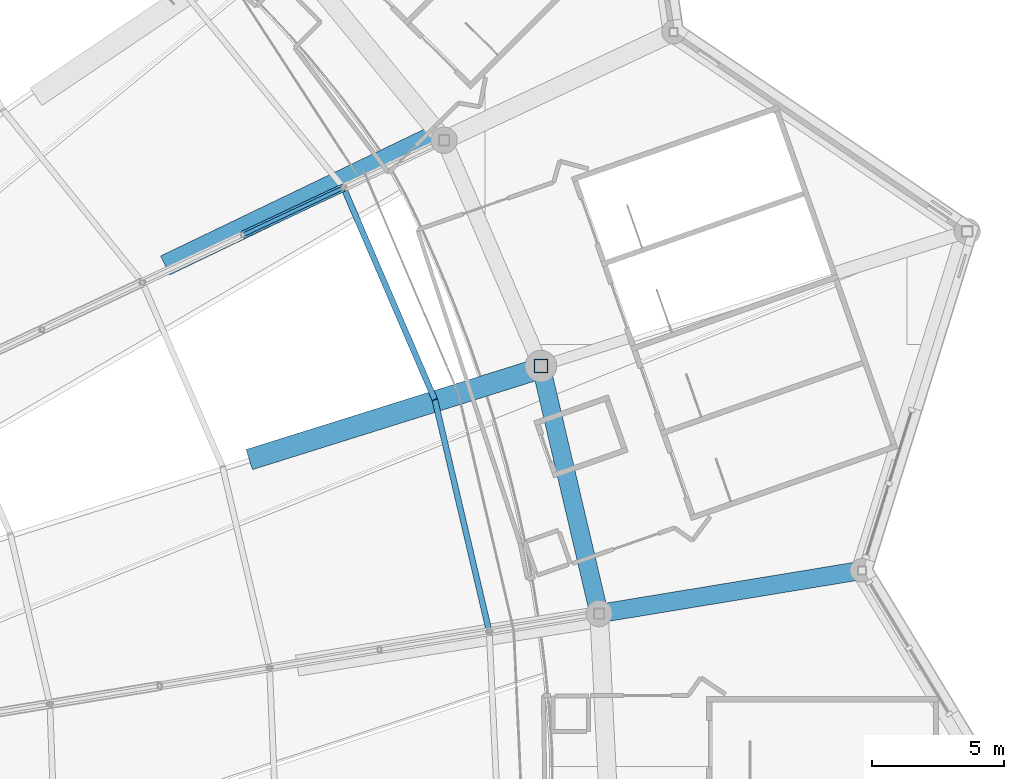
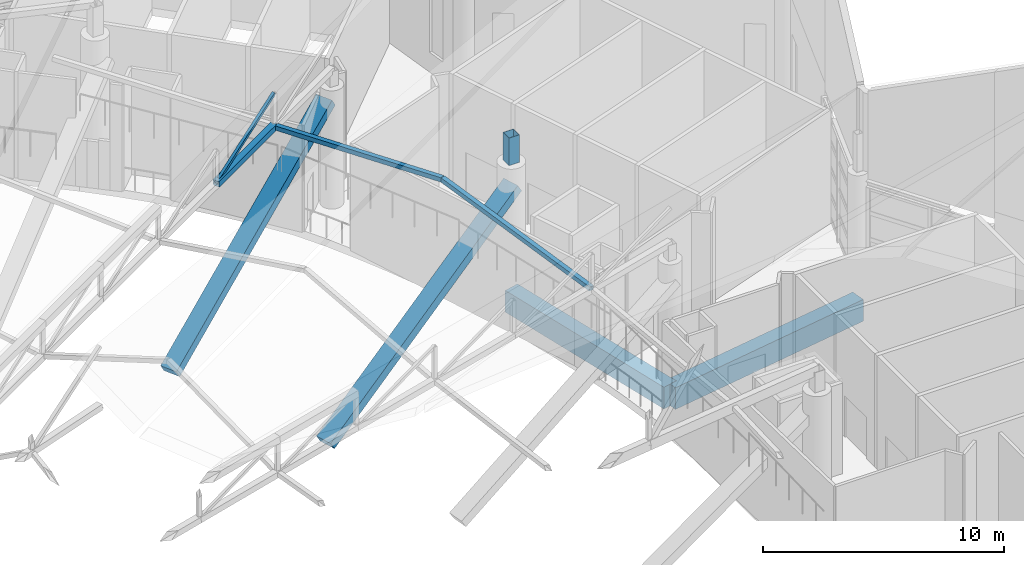
# One storey, part 193 of 344: 5 members, 4 beams.
"""IFC4 building model written with IfcOpenShell, lengths in metres."""

from ifc_helpers import new_model, si_unit, direction, frame, origin, origin_2d, place, context, subcontext, project, spatial, rectangle, hollow_rectangle, extrude, material, material_profile, profile_set, type_object, element, save


model = new_model("IFC4")

# Units and contexts
model_context = context("Model", 3, precision=1e-05, world=origin(), true_north=direction((0.0, 1.0)))
body_context = subcontext(model_context, "Body", "Model", "MODEL_VIEW")
ifc_project = project(units=[si_unit("LENGTHUNIT", "METRE"), si_unit("AREAUNIT", "SQUARE_METRE"), si_unit("VOLUMEUNIT", "CUBIC_METRE"), si_unit("PLANEANGLEUNIT", "RADIAN"), si_unit("MASSUNIT", "GRAM", prefix="KILO")], contexts=[model_context])

# Site, building, storey
site_placement = place(None, origin())
site = spatial("IfcSite", under=ifc_project, at=site_placement, CompositionType="ELEMENT")
building_placement = place(site_placement, origin())
building = spatial("IfcBuilding", under=site, at=building_placement, Name="Meseta Stadium", CompositionType="ELEMENT")
storey_placement = place(building_placement, frame((0.0, 0.0, 24.0)))
storey = spatial("IfcBuildingStorey", under=building, at=storey_placement, Name="L04", CompositionType="ELEMENT", Elevation=24.0)

# Beams
ifc_material_1 = material(Name="Concrete C40/50", Category="concrete")
ifc_material_profile_1 = material_profile(ifc_material_1, rectangle(XDim=0.699951171875, YDim=1.10009765625, at=origin_2d()), Name="RC 700x1100")
ifc_profile_set_1 = profile_set([ifc_material_profile_1], Name="Concrete C40/50")
beam_type_1 = type_object("IfcBeamType", Name="RC beam 700x1100", PredefinedType="BEAM", material=ifc_profile_set_1)
beam_1_placement = place(storey_placement, frame((84.3251953125, 53.801513671875, -0.949951171875), z_axis=(-0.228645688533, 0.973509706739, 0.0), x_axis=(-0.973509706739, -0.228645688533, 0.0)))
element("IfcBeam", 1, at=beam_1_placement, inside=storey, type_object=beam_type_1, Name="L04 ring beam frame 9 line P", PredefinedType="BEAM", context=body_context, shape_type="SweptSolid", body=[
    extrude(rectangle(XDim=0.699951171875, YDim=1.10009765625, at=origin_2d()), origin(), (0.0, 0.0, 1.0), 9.645263671875),
])
beam_2_placement = place(storey_placement, frame((84.3251953125, 53.801513671875, -0.949951171875), z_axis=(0.986739169318, 0.162313929576, 0.0), x_axis=(-0.162313929576, 0.986739169318, 0.0)))
element("IfcBeam", 2, at=beam_2_placement, inside=storey, type_object=beam_type_1, Name="L04 radial beam frame 9 line P to R", PredefinedType="BEAM", context=body_context, shape_type="SweptSolid", body=[
    extrude(rectangle(XDim=0.699951171875, YDim=1.10009765625, at=origin_2d()), origin(), (0.0, 0.0, 1.0), 10.103271484375),
])
ifc_material_2 = material(Name="Concrete C40/50", Category="concrete")
ifc_material_profile_2 = material_profile(ifc_material_2, rectangle(XDim=0.800048828125, YDim=0.449951171875, at=origin_2d()), Name="RC 800x450")
ifc_profile_set_2 = profile_set([ifc_material_profile_2], Name="Concrete C40/50")
beam_type_2 = type_object("IfcBeamType", Name="RC raker upper rear 800x450", PredefinedType="USERDEFINED", material=ifc_profile_set_2)
beam_3_placement = place(storey_placement, frame((71.169677734375, 59.67724609375, -2.31787109375), z_axis=(0.809741444929, 0.253874039245, 0.529024351577), x_axis=(-0.299165745615, 0.954201161522, 0.0)))
element("IfcBeam", 3, at=beam_3_placement, inside=storey, type_object=beam_type_2, Name="Raker upper rear frame 10 upper tier", ObjectType="RAKER", PredefinedType="USERDEFINED", context=body_context, shape_type="SweptSolid", body=[
    extrude(rectangle(XDim=0.800048828125, YDim=0.449951171875, at=origin_2d()), origin(), (0.0, 0.0, 1.0), 13.5517578125),
])
beam_4_placement = place(storey_placement, frame((67.972412109375, 67.057861328125, -2.061767578125), z_axis=(0.764771479431, 0.367790726353, 0.529012822016), x_axis=(-0.433401758165, 0.901200818919, 0.0)))
element("IfcBeam", 4, at=beam_4_placement, inside=storey, type_object=beam_type_2, Name="Raker upper rear frame 11 upper tier", ObjectType="RAKER", PredefinedType="USERDEFINED", context=body_context, shape_type="SweptSolid", body=[
    extrude(rectangle(XDim=0.800048828125, YDim=0.449951171875, at=origin_2d()), origin(), (0.0, 0.0, 1.0), 13.5244140625),
])

# Members
ifc_material_3 = material(Name="Steel S355", Category="steel")
ifc_material_profile_3 = material_profile(ifc_material_3, hollow_rectangle(XDim=0.139892578125, YDim=0.139892578125, WallThickness=0.0048828125, at=origin_2d()), Name="SHS 140x140x5")
ifc_profile_set_3 = profile_set([ifc_material_profile_3], Name="Steel S355")
member_type_1 = type_object("IfcMemberType", Name="SHS 140x140x5 diagonal", PredefinedType="BRACE", material=ifc_profile_set_3)
member_1_placement = place(storey_placement, frame((70.81494140625, 68.16162109375, 5.8115234375), z_axis=(0.804687036619, 0.379042764226, 0.456952246942), x_axis=(-0.426134347878, 0.904659890544, 0.0)))
element("IfcMember", 5, at=member_1_placement, inside=storey, type_object=member_type_1, Name="ROOF TRUSS RT-11 diagonal", PredefinedType="BRACE", context=body_context, shape_type="SweptSolid", body=[
    extrude(hollow_rectangle(XDim=0.139892578125, YDim=0.139892578125, WallThickness=0.0048828125, at=origin_2d()), origin(), (0.0, 0.0, 1.0), 4.7412109375),
])
ifc_material_4 = material(Name="Steel S355", Category="steel")
ifc_material_profile_4 = material_profile(ifc_material_4, hollow_rectangle(XDim=0.219970703125, YDim=0.219970703125, WallThickness=0.008056640625, at=origin_2d()), Name="SHS 220x220x8")
ifc_profile_set_4 = profile_set([ifc_material_profile_4], Name="Steel S355")
member_type_2 = type_object("IfcMemberType", Name="SHS 220x220x8 strut", PredefinedType="STRUT", material=ifc_profile_set_4)
member_2_placement = place(storey_placement, frame((80.158935546875, 53.1162109375, 6.337158203125), z_axis=(-0.227189562778, 0.968375370425, 0.103121503672), x_axis=(-0.973565676161, -0.228407255139, 0.0)))
element("IfcMember", 6, at=member_2_placement, inside=storey, type_object=member_type_2, Name="ROOF TRUSS STRUT RT-09/10", PredefinedType="STRUT", context=body_context, shape_type="SweptSolid", body=[
    extrude(hollow_rectangle(XDim=0.219970703125, YDim=0.219970703125, WallThickness=0.008056640625, at=origin_2d()), origin(), (0.0, 0.0, 1.0), 9.09130859375),
])
member_3_placement = place(storey_placement, frame((78.093505859375, 61.919921875, 7.274658203125), z_axis=(-0.393235058663, 0.912734440757, -0.110824317252), x_axis=(-0.918391722166, -0.395672395622, 0.0)))
element("IfcMember", 7, at=member_3_placement, inside=storey, type_object=member_type_2, Name="ROOF TRUSS STRUT RT-10/11", PredefinedType="STRUT", context=body_context, shape_type="SweptSolid", body=[
    extrude(hollow_rectangle(XDim=0.219970703125, YDim=0.219970703125, WallThickness=0.008056640625, at=origin_2d()), origin(), (0.0, 0.0, 1.0), 8.807373046875),
])
ifc_material_5 = material(Name="Steel S355", Category="steel")
ifc_material_profile_5 = material_profile(ifc_material_5, hollow_rectangle(XDim=0.300048828125, YDim=0.300048828125, WallThickness=0.010009765625, at=origin_2d()), Name="SHS 300x300x10")
ifc_profile_set_5 = profile_set([ifc_material_profile_5], Name="Steel S355")
member_type_3 = type_object("IfcMemberType", Name="SHS 300x300x10 bottom chord", PredefinedType="CHORD", material=ifc_profile_set_5)
member_4_placement = place(storey_placement, frame((70.81494140625, 68.16162109375, 5.8115234375), z_axis=(0.898686205597, 0.42332048118, 0.114729569346), x_axis=(-0.426134347878, 0.904659890544, 0.0)))
element("IfcMember", 8, at=member_4_placement, inside=storey, type_object=member_type_3, Name="ROOF TRUSS RT-11 bottom chord", PredefinedType="CHORD", context=body_context, shape_type="SweptSolid", body=[
    extrude(hollow_rectangle(XDim=0.300048828125, YDim=0.300048828125, WallThickness=0.010009765625, at=origin_2d()), origin(), (0.0, 0.0, 1.0), 4.245361328125),
])
ifc_material_6 = material(Name="Steel S355", Category="steel")
ifc_material_profile_6 = material_profile(ifc_material_6, hollow_rectangle(XDim=0.5, YDim=0.5, WallThickness=0.01611328125, at=origin_2d()), Name="SHS 500x500x16")
ifc_profile_set_6 = profile_set([ifc_material_profile_6], Name="Steel S355")
member_type_4 = type_object("IfcMemberType", Name="SHS 500x500x16 pedestal", PredefinedType="POST", material=ifc_profile_set_6)
member_5_placement = place(storey_placement, frame((82.119873046875, 63.191162109375, 6.0), z_axis=(0.0, 0.0, 1.0), x_axis=(1.0, 0.0, 0.0)))
element("IfcMember", 9, at=member_5_placement, inside=storey, type_object=member_type_4, Name="ROOF TRUSS RT-10 pedestal", PredefinedType="POST", context=body_context, shape_type="SweptSolid", body=[
    extrude(hollow_rectangle(XDim=0.5, YDim=0.5, WallThickness=0.01611328125, at=origin_2d()), origin(), (0.0, 0.0, 1.0), 1.397216796875),
])

save(model, "model.ifc")
